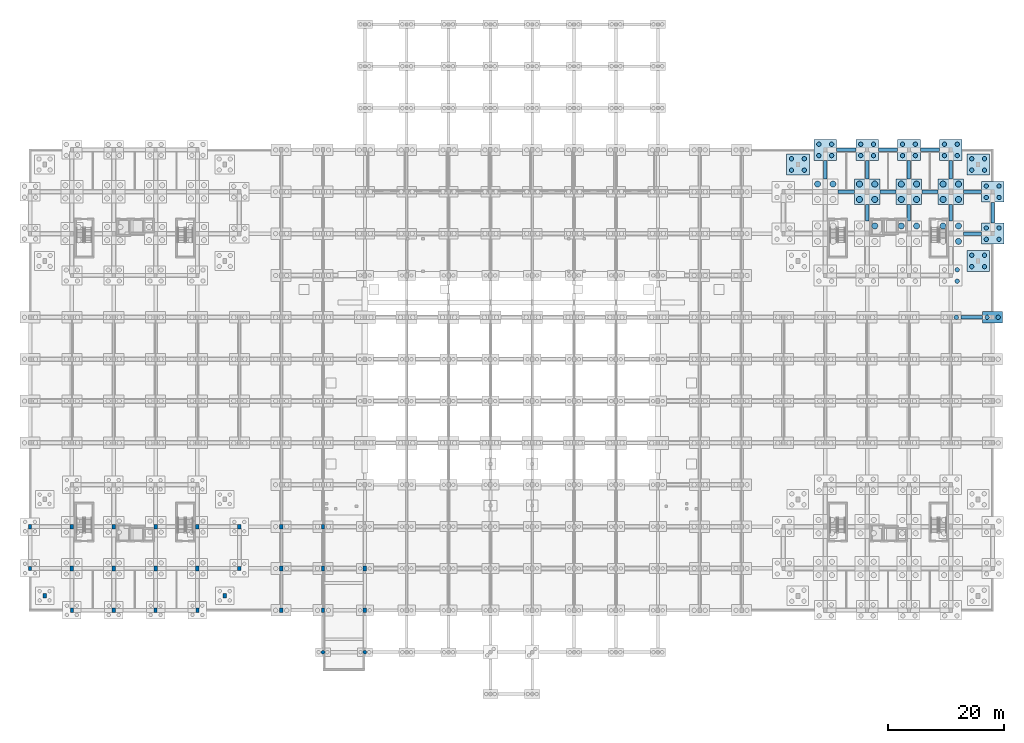
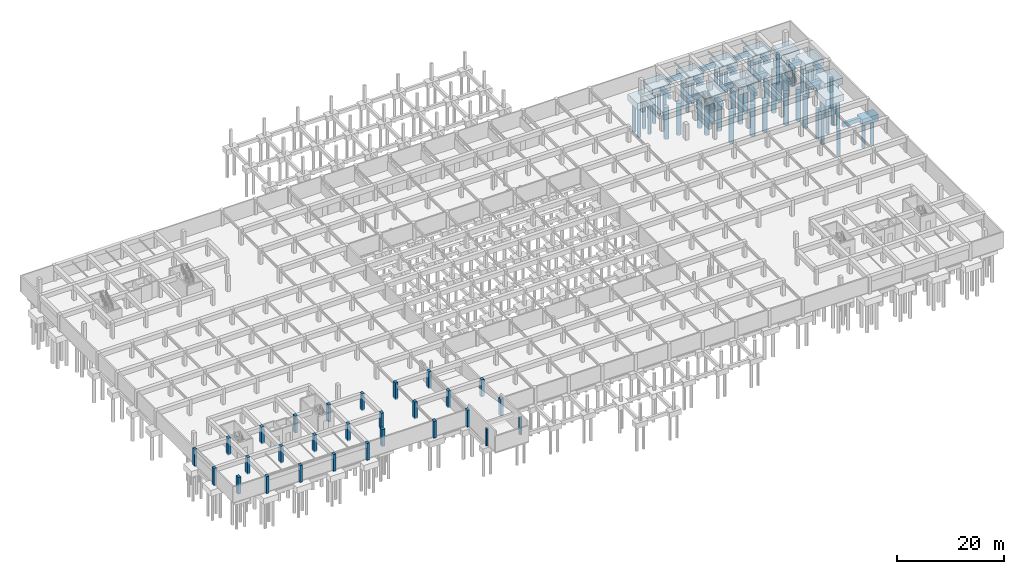
# One storey, part 15 of 36: 61 piles, 30 footings, 28 columns.
"""IFC4 building model written with IfcOpenShell, lengths in metres."""

from ifc_helpers import new_model, si_unit, direction, frame, origin, origin_2d, place, context, subcontext, project, spatial, rectangle, circle, extrude, material, material_profile, profile_set, type_object, element, save


model = new_model("IFC4")

# Units and contexts
model_context = context("Model", 3, precision=1e-05, world=origin(), true_north=direction((0.0, 1.0)))
body_context = subcontext(model_context, "Body", "Model", "MODEL_VIEW")
ifc_project = project(units=[si_unit("LENGTHUNIT", "METRE"), si_unit("AREAUNIT", "SQUARE_METRE"), si_unit("VOLUMEUNIT", "CUBIC_METRE"), si_unit("PLANEANGLEUNIT", "RADIAN"), si_unit("MASSUNIT", "GRAM", prefix="KILO")], contexts=[model_context])

# Site, building, storey
site_placement = place(None, origin())
site = spatial("IfcSite", under=ifc_project, at=site_placement, CompositionType="ELEMENT")
building_placement = place(site_placement, origin())
building = spatial("IfcBuilding", under=site, at=building_placement, Name="Ochrevale Crest", CompositionType="ELEMENT")
storey_placement = place(building_placement, frame((0.0, 0.0, -3.60009765625)))
storey = spatial("IfcBuildingStorey", under=building, at=storey_placement, Name="B1", CompositionType="ELEMENT", Elevation=-3.60009765625)

# Footings
ifc_material_1 = material(Name="Concrete C40/50", Category="concrete")
footing_type_1 = type_object("IfcFootingType", Name="CAP-PC01", PredefinedType="PILE_CAP", material=ifc_material_1)
for number, where, z_axis, x_axis, name in (
    (1, (144.0, 86.39990234375, -1.85986328125), (0.0, 0.0, 1.0), (1.0, 0.0, 0.0), "Pile cap PC01-286"),
    (2, (151.199951171875, 86.39990234375, -1.85986328125), (0.0, 0.0, 1.0), (1.0, 0.0, 0.0), "Pile cap PC01-298"),
    (3, (158.39990234375, 86.39990234375, -1.85986328125), (0.0, 0.0, 1.0), (1.0, 0.0, 0.0), "Pile cap PC01-310"),
):
    element("IfcFooting", number, at=place(storey_placement, frame(where, z_axis=z_axis, x_axis=x_axis)), inside=storey, type_object=footing_type_1, Name=name, PredefinedType="PILE_CAP", context=body_context, shape_type="SweptSolid", body=[
        extrude(rectangle(XDim=4.39990234375, YDim=4.39990234375, at=origin_2d()), origin(), (0.0, 0.0, 1.0), 1.60009765625),
    ])
footing_type_2 = type_object("IfcFootingType", Name="CAP-PC05", PredefinedType="PILE_CAP", material=ifc_material_1)
for number, where, z_axis, x_axis, name in (
    (4, (132.10009765625, 91.10009765625, -1.760009765625), (0.0, 0.0, 1.0), (1.0, 0.0, 0.0), "Pile cap PC05-263"),
    (5, (136.800048828125, 93.60009765625, -1.760009765625), (0.0, 0.0, 1.0), (1.0, 0.0, 0.0), "Pile cap PC05-275"),
    (6, (144.0, 93.60009765625, -1.760009765625), (0.0, 0.0, 1.0), (1.0, 0.0, 0.0), "Pile cap PC05-287"),
    (7, (151.199951171875, 93.60009765625, -1.760009765625), (0.0, 0.0, 1.0), (1.0, 0.0, 0.0), "Pile cap PC05-299"),
    (8, (158.39990234375, 93.60009765625, -1.760009765625), (0.0, 0.0, 1.0), (1.0, 0.0, 0.0), "Pile cap PC05-311"),
    (9, (163.10009765625, 74.5, -1.760009765625), (0.0, 0.0, 1.0), (1.0, 0.0, 0.0), "Pile cap PC05-314"),
    (10, (163.10009765625, 91.10009765625, -1.760009765625), (0.0, 0.0, 1.0), (1.0, 0.0, 0.0), "Pile cap PC05-315"),
    (11, (165.60009765625, 79.199951171875, -1.760009765625), (0.0, 0.0, 1.0), (1.0, 0.0, 0.0), "Pile cap PC05-322"),
    (12, (165.60009765625, 86.39990234375, -1.760009765625), (0.0, 0.0, 1.0), (1.0, 0.0, 0.0), "Pile cap PC05-323"),
):
    element("IfcFooting", number, at=place(storey_placement, frame(where, z_axis=z_axis, x_axis=x_axis)), inside=storey, type_object=footing_type_2, Name=name, PredefinedType="PILE_CAP", context=body_context, shape_type="SweptSolid", body=[
        extrude(rectangle(XDim=3.89990234375, YDim=3.60009765625, at=origin_2d()), origin(), (0.0, 0.0, 1.0), 1.5),
    ])
footing_type_3 = type_object("IfcFootingType", Name="CAP-PC12", PredefinedType="PILE_CAP", material=ifc_material_1)
footing_1_placement = place(storey_placement, frame((165.60009765625, 64.800048828125, -1.60986328125), z_axis=(0.0, 0.0, 1.0), x_axis=(1.0, 0.0, 0.0)))
element("IfcFooting", 13, at=footing_1_placement, inside=storey, type_object=footing_type_3, Name="Pile cap PC12-321", PredefinedType="PILE_CAP", context=body_context, shape_type="SweptSolid", body=[
    extrude(rectangle(XDim=3.449951171875, YDim=2.0, at=origin_2d()), origin(), (0.0, 0.0, 1.0), 1.35009765625),
])
ifc_material_profile_1 = material_profile(ifc_material_1, rectangle(XDim=0.60009765625, YDim=0.89990234375, at=origin_2d()), Name="GB 600x900")
ifc_profile_set_1 = profile_set([ifc_material_profile_1], Name="Concrete C40/50")
footing_type_4 = type_object("IfcFootingType", Name="FTG-GB600x900", PredefinedType="FOOTING_BEAM", material=ifc_profile_set_1)
footing_2_placement = place(storey_placement, frame((139.001953125, 86.39990234375, -0.7099609375), z_axis=(1.0, 0.0, 0.0), x_axis=(0.0, 1.0, 0.0)))
element("IfcFooting", 14, at=footing_2_placement, inside=storey, type_object=footing_type_4, Name="Foundation tie beam GB1-485", PredefinedType="FOOTING_BEAM", context=body_context, shape_type="SweptSolid", body=[
    extrude(rectangle(XDim=0.60009765625, YDim=0.89990234375, at=origin_2d()), origin(), (0.0, 0.0, 1.0), 2.796142578125),
])
footing_3_placement = place(storey_placement, frame((136.800048828125, 88.60205078125, -0.7099609375), z_axis=(0.0, 1.0, 0.0), x_axis=(-1.0, 0.0, 0.0)))
element("IfcFooting", 15, at=footing_3_placement, inside=storey, type_object=footing_type_4, Name="Foundation tie beam GB1-486", PredefinedType="FOOTING_BEAM", context=body_context, shape_type="SweptSolid", body=[
    extrude(rectangle(XDim=0.60009765625, YDim=0.89990234375, at=origin_2d()), origin(), (0.0, 0.0, 1.0), 3.196044921875),
])
footing_4_placement = place(storey_placement, frame((138.751953125, 93.60009765625, -0.7099609375), z_axis=(1.0, 0.0, 0.0), x_axis=(0.0, 1.0, 0.0)))
element("IfcFooting", 16, at=footing_4_placement, inside=storey, type_object=footing_type_4, Name="Foundation tie beam GB1-487", PredefinedType="FOOTING_BEAM", context=body_context, shape_type="SweptSolid", body=[
    extrude(rectangle(XDim=0.60009765625, YDim=0.89990234375, at=origin_2d()), origin(), (0.0, 0.0, 1.0), 3.296142578125),
])
footing_5_placement = place(storey_placement, frame((144.0, 81.402099609375, -0.7099609375), z_axis=(0.0, 1.0, 0.0), x_axis=(-1.0, 0.0, 0.0)))
element("IfcFooting", 17, at=footing_5_placement, inside=storey, type_object=footing_type_4, Name="Foundation tie beam GB1-507", PredefinedType="FOOTING_BEAM", context=body_context, shape_type="SweptSolid", body=[
    extrude(rectangle(XDim=0.60009765625, YDim=0.89990234375, at=origin_2d()), origin(), (0.0, 0.0, 1.0), 2.7958984375),
])
footing_6_placement = place(storey_placement, frame((146.201904296875, 86.39990234375, -0.7099609375), z_axis=(1.0, 0.0, 0.0), x_axis=(0.0, 1.0, 0.0)))
element("IfcFooting", 18, at=footing_6_placement, inside=storey, type_object=footing_type_4, Name="Foundation tie beam GB1-508", PredefinedType="FOOTING_BEAM", context=body_context, shape_type="SweptSolid", body=[
    extrude(rectangle(XDim=0.60009765625, YDim=0.89990234375, at=origin_2d()), origin(), (0.0, 0.0, 1.0), 2.796142578125),
])
footing_7_placement = place(storey_placement, frame((144.0, 88.60205078125, -0.7099609375), z_axis=(0.0, 1.0, 0.0), x_axis=(-1.0, 0.0, 0.0)))
element("IfcFooting", 19, at=footing_7_placement, inside=storey, type_object=footing_type_4, Name="Foundation tie beam GB1-509", PredefinedType="FOOTING_BEAM", context=body_context, shape_type="SweptSolid", body=[
    extrude(rectangle(XDim=0.60009765625, YDim=0.89990234375, at=origin_2d()), origin(), (0.0, 0.0, 1.0), 3.196044921875),
])
footing_8_placement = place(storey_placement, frame((145.951904296875, 93.60009765625, -0.7099609375), z_axis=(1.0, 0.0, 0.0), x_axis=(0.0, 1.0, 0.0)))
element("IfcFooting", 20, at=footing_8_placement, inside=storey, type_object=footing_type_4, Name="Foundation tie beam GB1-510", PredefinedType="FOOTING_BEAM", context=body_context, shape_type="SweptSolid", body=[
    extrude(rectangle(XDim=0.60009765625, YDim=0.89990234375, at=origin_2d()), origin(), (0.0, 0.0, 1.0), 3.296142578125),
])
for number, where, z_axis, x_axis, name in (
    (21, (151.199951171875, 81.402099609375, -0.7099609375), (0.0, 1.0, 0.0), (-1.0, 0.0, 0.0), "Foundation tie beam GB1-530"),
    (22, (153.402099609375, 86.39990234375, -0.7099609375), (1.0, 0.0, 0.0), (0.0, 1.0, 0.0), "Foundation tie beam GB1-531"),
):
    element("IfcFooting", number, at=place(storey_placement, frame(where, z_axis=z_axis, x_axis=x_axis)), inside=storey, type_object=footing_type_4, Name=name, PredefinedType="FOOTING_BEAM", context=body_context, shape_type="SweptSolid", body=[
        extrude(rectangle(XDim=0.60009765625, YDim=0.89990234375, at=origin_2d()), origin(), (0.0, 0.0, 1.0), 2.7958984375),
    ])
footing_9_placement = place(storey_placement, frame((151.199951171875, 88.60205078125, -0.7099609375), z_axis=(0.0, 1.0, 0.0), x_axis=(-1.0, 0.0, 0.0)))
element("IfcFooting", 23, at=footing_9_placement, inside=storey, type_object=footing_type_4, Name="Foundation tie beam GB1-532", PredefinedType="FOOTING_BEAM", context=body_context, shape_type="SweptSolid", body=[
    extrude(rectangle(XDim=0.60009765625, YDim=0.89990234375, at=origin_2d()), origin(), (0.0, 0.0, 1.0), 3.196044921875),
])
footing_10_placement = place(storey_placement, frame((153.152099609375, 93.60009765625, -0.7099609375), z_axis=(1.0, 0.0, 0.0), x_axis=(0.0, 1.0, 0.0)))
element("IfcFooting", 24, at=footing_10_placement, inside=storey, type_object=footing_type_4, Name="Foundation tie beam GB1-533", PredefinedType="FOOTING_BEAM", context=body_context, shape_type="SweptSolid", body=[
    extrude(rectangle(XDim=0.60009765625, YDim=0.89990234375, at=origin_2d()), origin(), (0.0, 0.0, 1.0), 3.2958984375),
])
footing_11_placement = place(storey_placement, frame((160.126953125, 64.800048828125, -0.7099609375), z_axis=(1.0, 0.0, 0.0), x_axis=(0.0, 1.0, 0.0)))
element("IfcFooting", 25, at=footing_11_placement, inside=storey, type_object=footing_type_4, Name="Foundation tie beam GB1-546", PredefinedType="FOOTING_BEAM", context=body_context, shape_type="SweptSolid", body=[
    extrude(rectangle(XDim=0.60009765625, YDim=0.89990234375, at=origin_2d()), origin(), (0.0, 0.0, 1.0), 3.74609375),
])
footing_12_placement = place(storey_placement, frame((160.60205078125, 79.199951171875, -0.7099609375), z_axis=(1.0, 0.0, 0.0), x_axis=(0.0, 1.0, 0.0)))
element("IfcFooting", 26, at=footing_12_placement, inside=storey, type_object=footing_type_4, Name="Foundation tie beam GB1-549", PredefinedType="FOOTING_BEAM", context=body_context, shape_type="SweptSolid", body=[
    extrude(rectangle(XDim=0.60009765625, YDim=0.89990234375, at=origin_2d()), origin(), (0.0, 0.0, 1.0), 3.0458984375),
])
footing_13_placement = place(storey_placement, frame((158.39990234375, 81.402099609375, -0.7099609375), z_axis=(0.0, 1.0, 0.0), x_axis=(-1.0, 0.0, 0.0)))
element("IfcFooting", 27, at=footing_13_placement, inside=storey, type_object=footing_type_4, Name="Foundation tie beam GB1-550", PredefinedType="FOOTING_BEAM", context=body_context, shape_type="SweptSolid", body=[
    extrude(rectangle(XDim=0.60009765625, YDim=0.89990234375, at=origin_2d()), origin(), (0.0, 0.0, 1.0), 2.7958984375),
])
footing_14_placement = place(storey_placement, frame((160.60205078125, 86.39990234375, -0.7099609375), z_axis=(1.0, 0.0, 0.0), x_axis=(0.0, 1.0, 0.0)))
element("IfcFooting", 28, at=footing_14_placement, inside=storey, type_object=footing_type_4, Name="Foundation tie beam GB1-551", PredefinedType="FOOTING_BEAM", context=body_context, shape_type="SweptSolid", body=[
    extrude(rectangle(XDim=0.60009765625, YDim=0.89990234375, at=origin_2d()), origin(), (0.0, 0.0, 1.0), 3.0458984375),
])
footing_15_placement = place(storey_placement, frame((158.39990234375, 88.60205078125, -0.7099609375), z_axis=(0.0, 1.0, 0.0), x_axis=(-1.0, 0.0, 0.0)))
element("IfcFooting", 29, at=footing_15_placement, inside=storey, type_object=footing_type_4, Name="Foundation tie beam GB1-552", PredefinedType="FOOTING_BEAM", context=body_context, shape_type="SweptSolid", body=[
    extrude(rectangle(XDim=0.60009765625, YDim=0.89990234375, at=origin_2d()), origin(), (0.0, 0.0, 1.0), 3.196044921875),
])
footing_16_placement = place(storey_placement, frame((165.60009765625, 81.001953125, -0.7099609375), z_axis=(0.0, 1.0, 0.0), x_axis=(-1.0, 0.0, 0.0)))
element("IfcFooting", 30, at=footing_16_placement, inside=storey, type_object=footing_type_4, Name="Foundation tie beam GB1-557", PredefinedType="FOOTING_BEAM", context=body_context, shape_type="SweptSolid", body=[
    extrude(rectangle(XDim=0.60009765625, YDim=0.89990234375, at=origin_2d()), origin(), (0.0, 0.0, 1.0), 3.595947265625),
])

# Piles
ifc_material_profile_2 = material_profile(ifc_material_1, circle(Radius=0.52490234375, at=origin_2d()), Name="BORED PILE 1050")
ifc_profile_set_2 = profile_set([ifc_material_profile_2], Name="Concrete C40/50")
pile_type_1 = type_object("IfcPileType", Name="PILE-BP1050", PredefinedType="BORED", material=ifc_profile_set_2)
for number, where, z_axis, x_axis, name in (
    (31, (135.47998046875, 87.719970703125, -1.760009765625), (0.0, 0.0, -1.0), (1.0, 0.0, 0.0), "Bored pile P4-274-3"),
    (32, (138.1201171875, 87.719970703125, -1.760009765625), (0.0, 0.0, -1.0), (1.0, 0.0, 0.0), "Bored pile P4-274-4"),
    (33, (145.320068359375, 80.52001953125, -1.760009765625), (0.0, 0.0, -1.0), (1.0, 0.0, 0.0), "Bored pile P4-285-4"),
    (34, (142.679931640625, 85.080078125, -1.760009765625), (0.0, 0.0, -1.0), (1.0, 0.0, 0.0), "Bored pile P4-286-1"),
    (35, (145.320068359375, 85.080078125, -1.760009765625), (0.0, 0.0, -1.0), (1.0, 0.0, 0.0), "Bored pile P4-286-2"),
    (36, (142.679931640625, 87.719970703125, -1.760009765625), (0.0, 0.0, -1.0), (1.0, 0.0, 0.0), "Bored pile P4-286-3"),
    (37, (145.320068359375, 87.719970703125, -1.760009765625), (0.0, 0.0, -1.0), (1.0, 0.0, 0.0), "Bored pile P4-286-4"),
    (38, (149.8798828125, 80.52001953125, -1.760009765625), (0.0, 0.0, -1.0), (1.0, 0.0, 0.0), "Bored pile P4-297-3"),
    (39, (152.52001953125, 80.52001953125, -1.760009765625), (0.0, 0.0, -1.0), (1.0, 0.0, 0.0), "Bored pile P4-297-4"),
    (40, (149.8798828125, 85.080078125, -1.760009765625), (0.0, 0.0, -1.0), (1.0, 0.0, 0.0), "Bored pile P4-298-1"),
    (41, (152.52001953125, 85.080078125, -1.760009765625), (0.0, 0.0, -1.0), (1.0, 0.0, 0.0), "Bored pile P4-298-2"),
    (42, (149.8798828125, 87.719970703125, -1.760009765625), (0.0, 0.0, -1.0), (1.0, 0.0, 0.0), "Bored pile P4-298-3"),
    (43, (152.52001953125, 87.719970703125, -1.760009765625), (0.0, 0.0, -1.0), (1.0, 0.0, 0.0), "Bored pile P4-298-4"),
    (44, (159.719970703125, 77.8798828125, -1.760009765625), (0.0, 0.0, -1.0), (1.0, 0.0, 0.0), "Bored pile P4-309-2"),
    (45, (157.080078125, 80.52001953125, -1.760009765625), (0.0, 0.0, -1.0), (1.0, 0.0, 0.0), "Bored pile P4-309-3"),
    (46, (159.719970703125, 80.52001953125, -1.760009765625), (0.0, 0.0, -1.0), (1.0, 0.0, 0.0), "Bored pile P4-309-4"),
    (47, (157.080078125, 85.080078125, -1.760009765625), (0.0, 0.0, -1.0), (1.0, 0.0, 0.0), "Bored pile P4-310-1"),
    (48, (159.719970703125, 85.080078125, -1.760009765625), (0.0, 0.0, -1.0), (1.0, 0.0, 0.0), "Bored pile P4-310-2"),
    (49, (157.080078125, 87.719970703125, -1.760009765625), (0.0, 0.0, -1.0), (1.0, 0.0, 0.0), "Bored pile P4-310-3"),
    (50, (159.719970703125, 87.719970703125, -1.760009765625), (0.0, 0.0, -1.0), (1.0, 0.0, 0.0), "Bored pile P4-310-4"),
):
    element("IfcPile", number, at=place(storey_placement, frame(where, z_axis=z_axis, x_axis=x_axis)), inside=storey, type_object=pile_type_1, Name=name, PredefinedType="BORED", context=body_context, shape_type="SweptSolid", body=[
        extrude(circle(Radius=0.52490234375, at=origin_2d()), origin(), (0.0, 0.0, 1.0), 7.239990234375),
    ])
ifc_material_profile_3 = material_profile(ifc_material_1, circle(Radius=0.375, at=origin_2d()), Name="BORED PILE 750")
ifc_profile_set_3 = profile_set([ifc_material_profile_3], Name="Concrete C40/50")
pile_type_2 = type_object("IfcPileType", Name="PILE-BP750", PredefinedType="BORED", material=ifc_profile_set_3)
for number, where, z_axis, x_axis, name in (
    (51, (131.0, 90.1201171875, -1.659912109375), (0.0, 0.0, -1.0), (1.0, 0.0, 0.0), "Bored pile P2-263-1"),
    (52, (133.199951171875, 90.1201171875, -1.659912109375), (0.0, 0.0, -1.0), (1.0, 0.0, 0.0), "Bored pile P2-263-2"),
    (53, (131.0, 92.080078125, -1.659912109375), (0.0, 0.0, -1.0), (1.0, 0.0, 0.0), "Bored pile P2-263-3"),
    (54, (133.199951171875, 92.080078125, -1.659912109375), (0.0, 0.0, -1.0), (1.0, 0.0, 0.0), "Bored pile P2-263-4"),
    (55, (135.699951171875, 92.6201171875, -1.659912109375), (0.0, 0.0, -1.0), (1.0, 0.0, 0.0), "Bored pile P2-275-1"),
    (56, (137.89990234375, 92.6201171875, -1.659912109375), (0.0, 0.0, -1.0), (1.0, 0.0, 0.0), "Bored pile P2-275-2"),
    (57, (135.699951171875, 94.580078125, -1.659912109375), (0.0, 0.0, -1.0), (1.0, 0.0, 0.0), "Bored pile P2-275-3"),
    (58, (137.89990234375, 94.580078125, -1.659912109375), (0.0, 0.0, -1.0), (1.0, 0.0, 0.0), "Bored pile P2-275-4"),
    (59, (142.89990234375, 92.6201171875, -1.659912109375), (0.0, 0.0, -1.0), (1.0, 0.0, 0.0), "Bored pile P2-287-1"),
    (60, (145.10009765625, 92.6201171875, -1.659912109375), (0.0, 0.0, -1.0), (1.0, 0.0, 0.0), "Bored pile P2-287-2"),
    (61, (142.89990234375, 94.580078125, -1.659912109375), (0.0, 0.0, -1.0), (1.0, 0.0, 0.0), "Bored pile P2-287-3"),
    (62, (145.10009765625, 94.580078125, -1.659912109375), (0.0, 0.0, -1.0), (1.0, 0.0, 0.0), "Bored pile P2-287-4"),
    (63, (150.10009765625, 92.6201171875, -1.659912109375), (0.0, 0.0, -1.0), (1.0, 0.0, 0.0), "Bored pile P2-299-1"),
    (64, (152.300048828125, 92.6201171875, -1.659912109375), (0.0, 0.0, -1.0), (1.0, 0.0, 0.0), "Bored pile P2-299-2"),
    (65, (150.10009765625, 94.580078125, -1.659912109375), (0.0, 0.0, -1.0), (1.0, 0.0, 0.0), "Bored pile P2-299-3"),
    (66, (152.300048828125, 94.580078125, -1.659912109375), (0.0, 0.0, -1.0), (1.0, 0.0, 0.0), "Bored pile P2-299-4"),
):
    element("IfcPile", number, at=place(storey_placement, frame(where, z_axis=z_axis, x_axis=x_axis)), inside=storey, type_object=pile_type_2, Name=name, PredefinedType="BORED", context=body_context, shape_type="SweptSolid", body=[
        extrude(circle(Radius=0.375, at=origin_2d()), origin(), (0.0, 0.0, 1.0), 6.93994140625),
    ])
pile_placement = place(storey_placement, frame((159.35009765625, 64.800048828125, -1.510009765625), z_axis=(0.0, 0.0, -1.0), x_axis=(1.0, 0.0, 0.0)))
element("IfcPile", 67, at=pile_placement, inside=storey, type_object=pile_type_2, Name="Bored pile P2-307-2", PredefinedType="BORED", context=body_context, shape_type="SweptSolid", body=[
    extrude(circle(Radius=0.375, at=origin_2d()), origin(), (0.0, 0.0, 1.0), 5.889892578125),
])
for number, where, z_axis, x_axis, name in (
    (68, (159.5, 71.02001953125, -1.659912109375), (0.0, 0.0, -1.0), (1.0, 0.0, 0.0), "Bored pile P2-308-2"),
    (69, (159.5, 72.97998046875, -1.659912109375), (0.0, 0.0, -1.0), (1.0, 0.0, 0.0), "Bored pile P2-308-4"),
    (70, (157.300048828125, 92.6201171875, -1.659912109375), (0.0, 0.0, -1.0), (1.0, 0.0, 0.0), "Bored pile P2-311-1"),
    (71, (159.5, 92.6201171875, -1.659912109375), (0.0, 0.0, -1.0), (1.0, 0.0, 0.0), "Bored pile P2-311-2"),
    (72, (157.300048828125, 94.580078125, -1.659912109375), (0.0, 0.0, -1.0), (1.0, 0.0, 0.0), "Bored pile P2-311-3"),
    (73, (159.5, 94.580078125, -1.659912109375), (0.0, 0.0, -1.0), (1.0, 0.0, 0.0), "Bored pile P2-311-4"),
    (74, (162.0, 73.52001953125, -1.659912109375), (0.0, 0.0, -1.0), (1.0, 0.0, 0.0), "Bored pile P2-314-1"),
    (75, (164.199951171875, 73.52001953125, -1.659912109375), (0.0, 0.0, -1.0), (1.0, 0.0, 0.0), "Bored pile P2-314-2"),
    (76, (162.0, 75.47998046875, -1.659912109375), (0.0, 0.0, -1.0), (1.0, 0.0, 0.0), "Bored pile P2-314-3"),
    (77, (164.199951171875, 75.47998046875, -1.659912109375), (0.0, 0.0, -1.0), (1.0, 0.0, 0.0), "Bored pile P2-314-4"),
    (78, (162.0, 90.1201171875, -1.659912109375), (0.0, 0.0, -1.0), (1.0, 0.0, 0.0), "Bored pile P2-315-1"),
    (79, (164.199951171875, 90.1201171875, -1.659912109375), (0.0, 0.0, -1.0), (1.0, 0.0, 0.0), "Bored pile P2-315-2"),
    (80, (162.0, 92.080078125, -1.659912109375), (0.0, 0.0, -1.0), (1.0, 0.0, 0.0), "Bored pile P2-315-3"),
    (81, (164.199951171875, 92.080078125, -1.659912109375), (0.0, 0.0, -1.0), (1.0, 0.0, 0.0), "Bored pile P2-315-4"),
):
    element("IfcPile", number, at=place(storey_placement, frame(where, z_axis=z_axis, x_axis=x_axis)), inside=storey, type_object=pile_type_2, Name=name, PredefinedType="BORED", context=body_context, shape_type="SweptSolid", body=[
        extrude(circle(Radius=0.375, at=origin_2d()), origin(), (0.0, 0.0, 1.0), 6.93994140625),
    ])
for number, where, z_axis, x_axis, name in (
    (82, (164.64990234375, 64.800048828125, -1.510009765625), (0.0, 0.0, -1.0), (1.0, 0.0, 0.0), "Bored pile P2-321-1"),
    (83, (166.550048828125, 64.800048828125, -1.510009765625), (0.0, 0.0, -1.0), (1.0, 0.0, 0.0), "Bored pile P2-321-2"),
):
    element("IfcPile", number, at=place(storey_placement, frame(where, z_axis=z_axis, x_axis=x_axis)), inside=storey, type_object=pile_type_2, Name=name, PredefinedType="BORED", context=body_context, shape_type="SweptSolid", body=[
        extrude(circle(Radius=0.375, at=origin_2d()), origin(), (0.0, 0.0, 1.0), 5.889892578125),
    ])
for number, where, z_axis, x_axis, name in (
    (84, (164.5, 78.219970703125, -1.659912109375), (0.0, 0.0, -1.0), (1.0, 0.0, 0.0), "Bored pile P2-322-1"),
    (85, (166.699951171875, 78.219970703125, -1.659912109375), (0.0, 0.0, -1.0), (1.0, 0.0, 0.0), "Bored pile P2-322-2"),
    (86, (164.5, 80.179931640625, -1.659912109375), (0.0, 0.0, -1.0), (1.0, 0.0, 0.0), "Bored pile P2-322-3"),
    (87, (166.699951171875, 80.179931640625, -1.659912109375), (0.0, 0.0, -1.0), (1.0, 0.0, 0.0), "Bored pile P2-322-4"),
    (88, (164.5, 85.419921875, -1.659912109375), (0.0, 0.0, -1.0), (1.0, 0.0, 0.0), "Bored pile P2-323-1"),
    (89, (166.699951171875, 85.419921875, -1.659912109375), (0.0, 0.0, -1.0), (1.0, 0.0, 0.0), "Bored pile P2-323-2"),
    (90, (164.5, 87.3798828125, -1.659912109375), (0.0, 0.0, -1.0), (1.0, 0.0, 0.0), "Bored pile P2-323-3"),
    (91, (166.699951171875, 87.3798828125, -1.659912109375), (0.0, 0.0, -1.0), (1.0, 0.0, 0.0), "Bored pile P2-323-4"),
):
    element("IfcPile", number, at=place(storey_placement, frame(where, z_axis=z_axis, x_axis=x_axis)), inside=storey, type_object=pile_type_2, Name=name, PredefinedType="BORED", context=body_context, shape_type="SweptSolid", body=[
        extrude(circle(Radius=0.375, at=origin_2d()), origin(), (0.0, 0.0, 1.0), 6.93994140625),
    ])

# Columns
ifc_material_2 = material(Name="Precast concrete C50/60", Category="concrete")
ifc_material_profile_4 = material_profile(ifc_material_2, rectangle(XDim=0.550048828125, YDim=0.75, at=origin_2d()), Name="RC 550x750")
ifc_profile_set_4 = profile_set([ifc_material_profile_4], Name="Precast concrete C50/60")
column_type_1 = type_object("IfcColumnType", Name="COL-RC550x750", PredefinedType="COLUMN", material=ifc_profile_set_4)
for number, where, z_axis, x_axis, name in (
    (92, (0.0, 21.60009765625, -0.260009765625), (0.0, 0.0, 1.0), (1.0, 0.0, 0.0), "Block A B1 column (0.0,21.6)"),
    (93, (0.0, 28.800048828125, -0.260009765625), (0.0, 0.0, 1.0), (1.0, 0.0, 0.0), "Block A B1 column (0.0,28.8)"),
    (94, (7.199951171875, 14.39990234375, -0.260009765625), (0.0, 0.0, 1.0), (1.0, 0.0, 0.0), "Block A B1 column (7.2,14.4)"),
    (95, (14.39990234375, 14.39990234375, -0.260009765625), (0.0, 0.0, 1.0), (1.0, 0.0, 0.0), "Block A B1 column (14.4,14.4)"),
    (96, (21.60009765625, 14.39990234375, -0.260009765625), (0.0, 0.0, 1.0), (1.0, 0.0, 0.0), "Block A B1 column (21.6,14.4)"),
    (97, (28.800048828125, 14.39990234375, -0.260009765625), (0.0, 0.0, 1.0), (1.0, 0.0, 0.0), "Block A B1 column (28.8,14.4)"),
    (98, (36.0, 21.60009765625, -0.260009765625), (0.0, 0.0, 1.0), (1.0, 0.0, 0.0), "Block A B1 column (36.0,21.6)"),
    (99, (36.0, 28.800048828125, -0.260009765625), (0.0, 0.0, 1.0), (1.0, 0.0, 0.0), "Block A B1 column (36.0,28.8)"),
):
    element("IfcColumn", number, at=place(storey_placement, frame(where, z_axis=z_axis, x_axis=x_axis)), inside=storey, type_object=column_type_1, Name=name, PredefinedType="COLUMN", context=body_context, shape_type="SweptSolid", body=[
        extrude(rectangle(XDim=0.550048828125, YDim=0.75, at=origin_2d()), origin(), (0.0, 0.0, 1.0), 3.860107421875),
    ])
ifc_material_3 = material(Name="Concrete C50/60", Category="concrete")
ifc_material_profile_5 = material_profile(ifc_material_3, rectangle(XDim=0.60009765625, YDim=0.800048828125, at=origin_2d()), Name="RC 600x800")
ifc_profile_set_5 = profile_set([ifc_material_profile_5], Name="Concrete C50/60")
column_type_2 = type_object("IfcColumnType", Name="COL-RC600x800", PredefinedType="COLUMN", material=ifc_profile_set_5)
for number, where, z_axis, x_axis, name in (
    (100, (43.199951171875, 14.39990234375, -0.260009765625), (0.0, 0.0, 1.0), (1.0, 0.0, 0.0), "B1 structural foundation column (43.2,14.4)"),
    (101, (43.199951171875, 21.60009765625, -0.260009765625), (0.0, 0.0, 1.0), (1.0, 0.0, 0.0), "B1 structural foundation column (43.2,21.6)"),
    (102, (43.199951171875, 28.800048828125, -0.260009765625), (0.0, 0.0, 1.0), (1.0, 0.0, 0.0), "B1 structural foundation column (43.2,28.8)"),
    (103, (50.39990234375, 14.39990234375, -0.260009765625), (0.0, 0.0, 1.0), (1.0, 0.0, 0.0), "B1 structural foundation column (50.4,14.4)"),
    (104, (50.39990234375, 21.60009765625, -0.260009765625), (0.0, 0.0, 1.0), (1.0, 0.0, 0.0), "B1 structural foundation column (50.4,21.6)"),
    (105, (50.39990234375, 28.800048828125, -0.260009765625), (0.0, 0.0, 1.0), (1.0, 0.0, 0.0), "B1 structural foundation column (50.4,28.8)"),
    (106, (57.60009765625, 14.39990234375, -0.260009765625), (0.0, 0.0, 1.0), (1.0, 0.0, 0.0), "B1 structural foundation column (57.6,14.4)"),
    (107, (57.60009765625, 21.60009765625, -0.260009765625), (0.0, 0.0, 1.0), (1.0, 0.0, 0.0), "B1 structural foundation column (57.6,21.6)"),
    (108, (2.5, 16.89990234375, -0.260009765625), (0.0, 0.0, 1.0), (1.0, 0.0, 0.0), "Block A B1 column (2.5,16.9)"),
    (109, (7.199951171875, 21.60009765625, -0.260009765625), (0.0, 0.0, 1.0), (1.0, 0.0, 0.0), "Block A B1 column (7.2,21.6)"),
    (110, (7.199951171875, 28.800048828125, -0.260009765625), (0.0, 0.0, 1.0), (1.0, 0.0, 0.0), "Block A B1 column (7.2,28.8)"),
    (111, (14.39990234375, 21.60009765625, -0.260009765625), (0.0, 0.0, 1.0), (1.0, 0.0, 0.0), "Block A B1 column (14.4,21.6)"),
    (112, (14.39990234375, 28.800048828125, -0.260009765625), (0.0, 0.0, 1.0), (1.0, 0.0, 0.0), "Block A B1 column (14.4,28.8)"),
    (113, (21.60009765625, 21.60009765625, -0.260009765625), (0.0, 0.0, 1.0), (1.0, 0.0, 0.0), "Block A B1 column (21.6,21.6)"),
    (114, (21.60009765625, 28.800048828125, -0.260009765625), (0.0, 0.0, 1.0), (1.0, 0.0, 0.0), "Block A B1 column (21.6,28.8)"),
    (115, (28.800048828125, 21.60009765625, -0.260009765625), (0.0, 0.0, 1.0), (1.0, 0.0, 0.0), "Block A B1 column (28.8,21.6)"),
    (116, (28.800048828125, 28.800048828125, -0.260009765625), (0.0, 0.0, 1.0), (1.0, 0.0, 0.0), "Block A B1 column (28.8,28.8)"),
    (117, (33.5, 16.89990234375, -0.260009765625), (0.0, 0.0, 1.0), (1.0, 0.0, 0.0), "Block A B1 column (33.5,16.9)"),
):
    element("IfcColumn", number, at=place(storey_placement, frame(where, z_axis=z_axis, x_axis=x_axis)), inside=storey, type_object=column_type_2, Name=name, PredefinedType="COLUMN", context=body_context, shape_type="SweptSolid", body=[
        extrude(rectangle(XDim=0.60009765625, YDim=0.800048828125, at=origin_2d()), origin(), (0.0, 0.0, 1.0), 3.860107421875),
    ])
ifc_material_profile_6 = material_profile(ifc_material_2, circle(Radius=0.324951171875, at=origin_2d()), Name="RC D650")
ifc_profile_set_6 = profile_set([ifc_material_profile_6], Name="Precast concrete C50/60")
column_type_3 = type_object("IfcColumnType", Name="COL-RCD650", PredefinedType="COLUMN", material=ifc_profile_set_6)
for number, where, z_axis, x_axis, name in (
    (118, (50.39990234375, 7.199951171875, -0.260009765625), (0.0, 0.0, 1.0), (1.0, 0.0, 0.0), "B1 arcade foundation pier (50.4,7.2)"),
    (119, (57.60009765625, 7.199951171875, -0.260009765625), (0.0, 0.0, 1.0), (1.0, 0.0, 0.0), "B1 arcade foundation pier (57.6,7.2)"),
):
    element("IfcColumn", number, at=place(storey_placement, frame(where, z_axis=z_axis, x_axis=x_axis)), inside=storey, type_object=column_type_3, Name=name, PredefinedType="COLUMN", context=body_context, shape_type="SweptSolid", body=[
        extrude(circle(Radius=0.324951171875, at=origin_2d()), origin(), (0.0, 0.0, 1.0), 3.860107421875),
    ])

save(model, "model.ifc")
